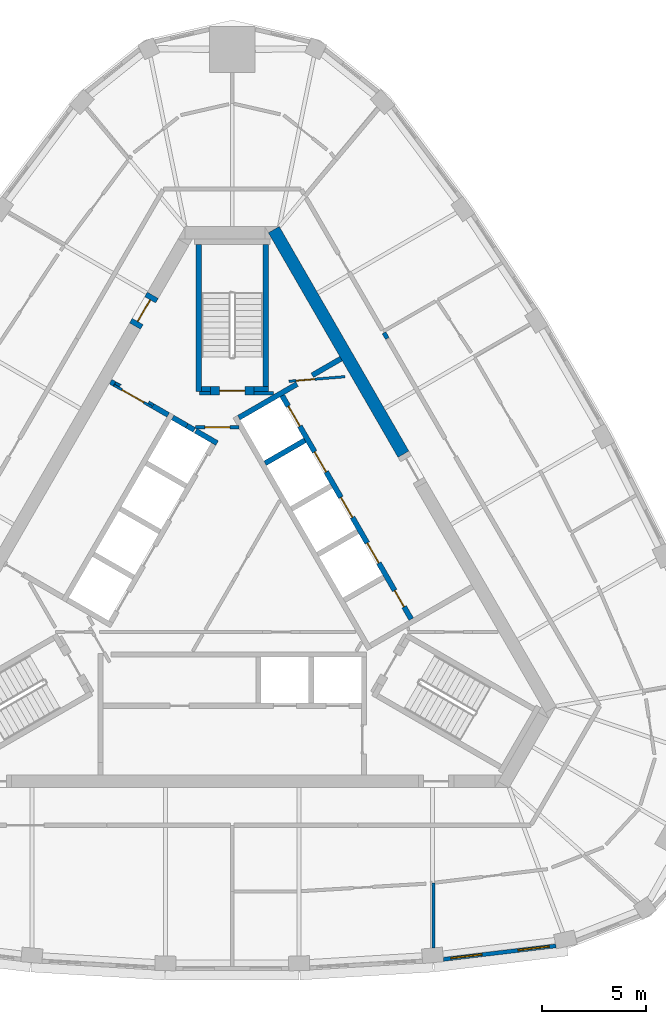
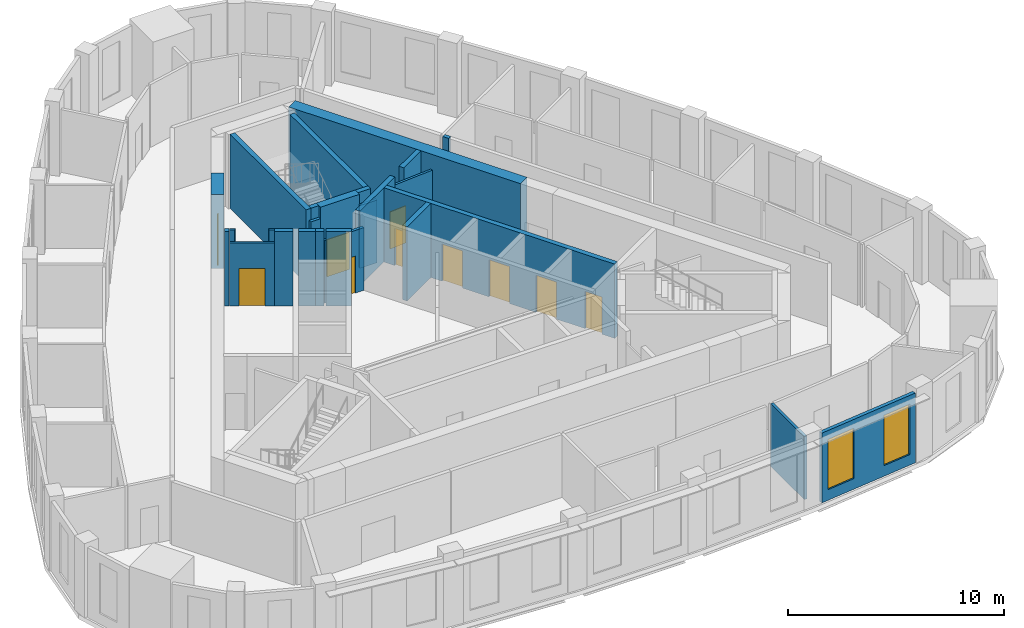
# One storey, part 6 of 10: 26 walls, 10 doors, 2 windows, 12 openings.
"""IFC4 building model written with IfcOpenShell, lengths in metres."""

from ifc_helpers import new_model, si_unit, direction, frame, frame_2d, origin, place, context, subcontext, project, spatial, polyline, rectangle, outline, extrude, material, layer, layer_set, type_object, element, fill, save


model = new_model("IFC4")

# Units and contexts
model_context = context("Model", 3, precision=1e-05, world=origin(), true_north=direction((0.0, 1.0)))
body_context = subcontext(model_context, "Body", "Model", "MODEL_VIEW")
ifc_project = project(units=[si_unit("LENGTHUNIT", "METRE"), si_unit("AREAUNIT", "SQUARE_METRE"), si_unit("VOLUMEUNIT", "CUBIC_METRE"), si_unit("PLANEANGLEUNIT", "RADIAN"), si_unit("MASSUNIT", "GRAM", prefix="KILO")], contexts=[model_context])

# Site, building, storey
site_placement = place(None, origin())
site = spatial("IfcSite", under=ifc_project, at=site_placement, CompositionType="ELEMENT")
building_placement = place(site_placement, origin())
building = spatial("IfcBuilding", under=site, at=building_placement, Name="Mestral Congress Tower", CompositionType="ELEMENT")
storey_placement = place(building_placement, frame((0.0, 0.0, 292.199951171875)))
storey = spatial("IfcBuildingStorey", under=building, at=storey_placement, Name="L68", CompositionType="ELEMENT", Elevation=292.199951171875)

# Walls
ifc_material_1 = material(Name="Fire-rated board partition")
ifc_layer_1 = layer(ifc_material_1, 0.14990234375)
ifc_layer_set_1 = layer_set([ifc_layer_1], Name="Fire-rated board partition")
wall_type_1 = type_object("IfcWallType", Name="Core partition 150", PredefinedType="PARTITIONING", material=ifc_layer_set_1)
wall_1_placement = place(storey_placement, frame((1.050048828125, 8.62548828125, 0.0), z_axis=(0.0, 0.0, 1.0), x_axis=(1.0, 0.0, 0.0)))
element("IfcWall", 1, at=wall_1_placement, inside=storey, type_object=wall_type_1, Name="L68 core wall", PredefinedType="PARTITIONING", context=body_context, shape_type="SweptSolid", body=[
    extrude(rectangle(XDim=0.9287109375, YDim=0.14990234375, at=frame_2d((0.46435546875, 0.0))), origin(), (0.0, 0.0, 1.0), 3.550048828125),
])
wall_2_placement = place(storey_placement, frame((-1.56396484375, 8.62548828125, 0.0), z_axis=(0.0, 0.0, 1.0), x_axis=(1.0, 0.0, 0.0)))
element("IfcWall", 2, at=wall_2_placement, inside=storey, type_object=wall_type_1, Name="L68 core wall", PredefinedType="PARTITIONING", context=body_context, shape_type="SweptSolid", body=[
    extrude(rectangle(XDim=0.513916015625, YDim=0.14990234375, at=frame_2d((0.2568359375, 0.0))), origin(), (0.0, 0.0, 1.0), 3.550048828125),
])

# Wall, opening, door
wall_3_placement = place(storey_placement, frame((-1.765380859375, 7.0, 0.0), z_axis=(0.0, 0.0, 1.0), x_axis=(1.0, 0.0, 0.0)))
wall_3 = element("IfcWall", 3, at=wall_3_placement, inside=storey, type_object=wall_type_1, Name="L68 door wall", PredefinedType="PARTITIONING", context=body_context, shape_type="SweptSolid", body=[
    extrude(rectangle(XDim=2.10009765625, YDim=0.14990234375, at=frame_2d((1.050048828125, 0.0))), origin(), (0.0, 0.0, 1.0), 3.550048828125),
])
opening_1_placement = place(wall_3_placement, frame((0.449951171875, 0.0, 0.0)))
opening_1 = element("IfcOpeningElement", 4, at=opening_1_placement, cuts=wall_3, Name="Opening CD2-FF", PredefinedType="OPENING", context=body_context, shape_type="SweptSolid", body=[
    extrude(rectangle(XDim=1.199951171875, YDim=2.10009765625, at=frame_2d((0.60009765625, 1.050048828125))), frame((0.0, 0.0849609375, 0.0), z_axis=(0.0, -1.0, 0.0), x_axis=(1.0, 0.0, 0.0)), (0.0, 0.0, 1.0), 0.169921875),
])
ifc_material_2 = material(Name="Fire-rated steel door set", Category="steel")
door_type_1 = type_object("IfcDoorType", Name="Core door CD 1200x2100", OperationType="SINGLE_SWING_LEFT", PredefinedType="DOOR", material=ifc_material_2)
door_1_placement = place(opening_1_placement, origin())
door_1 = element("IfcDoor", 5, at=door_1_placement, inside=storey, type_object=door_type_1, Name="Door CD2-FF", OperationType="SINGLE_SWING_LEFT", OverallHeight=2.10009765625, OverallWidth=1.199951171875, PredefinedType="DOOR", context=body_context, shape_type="SweptSolid", body=[
    extrude(rectangle(XDim=1.199951171875, YDim=2.10009765625, at=frame_2d((0.60009765625, 1.050048828125))), frame((0.0, 0.02490234375, 0.0), z_axis=(0.0, -1.0, 0.0), x_axis=(1.0, 0.0, 0.0)), (0.0, 0.0, 1.0), 0.050048828125),
])
fill(opening_1, door_1)

ifc_layer_2 = layer(ifc_material_1, 0.1201171875)
ifc_layer_set_2 = layer_set([ifc_layer_2], Name="Fire-rated board partition")
wall_type_2 = type_object("IfcWallType", Name="Core partition 150 door-wall 120", PredefinedType="PARTITIONING", material=ifc_layer_set_2)
wall_4_placement = place(storey_placement, frame((5.3984375, 9.418701171875, 0.0), z_axis=(0.0, 0.0, 1.0), x_axis=(-0.996653416376, -0.081743303248, 0.0)))
wall_4 = element("IfcWall", 6, at=wall_4_placement, inside=storey, type_object=wall_type_2, Name="L68 door wall", PredefinedType="PARTITIONING", context=body_context, shape_type="SweptSolid", body=[
    extrude(rectangle(XDim=2.699951171875, YDim=0.119873046875, at=frame_2d((1.35009765625, 0.0))), origin(), (0.0, 0.0, 1.0), 3.550048828125),
])
opening_2_placement = place(wall_4_placement, frame((1.449951171875, 0.0, 0.0)))
opening_2 = element("IfcOpeningElement", 7, at=opening_2_placement, cuts=wall_4, Name="Opening TD2", PredefinedType="OPENING", context=body_context, shape_type="SweptSolid", body=[
    extrude(rectangle(XDim=0.89990234375, YDim=2.10009765625, at=frame_2d((0.449951171875, 1.050048828125))), frame((0.0, 0.06982421875, 0.0), z_axis=(0.0, -1.0, 0.0), x_axis=(1.0, 0.0, 0.0)), (0.0, 0.0, 1.0), 0.139892578125),
])
door_type_2 = type_object("IfcDoorType", Name="Core door SR 900x2100", OperationType="SINGLE_SWING_LEFT", PredefinedType="DOOR", material=ifc_material_2)
door_2_placement = place(opening_2_placement, origin())
door_2 = element("IfcDoor", 8, at=door_2_placement, inside=storey, type_object=door_type_2, Name="Door TD2", OperationType="SINGLE_SWING_LEFT", OverallHeight=2.10009765625, OverallWidth=0.89990234375, PredefinedType="DOOR", context=body_context, shape_type="SweptSolid", body=[
    extrude(rectangle(XDim=0.89990234375, YDim=2.10009765625, at=frame_2d((0.449951171875, 1.050048828125))), frame((0.0, 0.02490234375, 0.0), z_axis=(0.0, -1.0, 0.0), x_axis=(1.0, 0.0, 0.0)), (0.0, 0.0, 1.0), 0.050048828125),
])
fill(opening_2, door_2)

wall_5_placement = place(storey_placement, frame((-5.65869140625, 9.01171875, 0.0), z_axis=(0.0, 0.0, 1.0), x_axis=(0.866009402589, -0.500027713859, 0.0)))
wall_5 = element("IfcWall", 9, at=wall_5_placement, inside=storey, type_object=wall_type_2, Name="L68 door wall", PredefinedType="PARTITIONING", context=body_context, shape_type="SweptSolid", body=[
    extrude(rectangle(XDim=2.10009765625, YDim=0.1201171875, at=frame_2d((1.050048828125, 0.0))), origin(), (0.0, 0.0, 1.0), 3.550048828125),
])
opening_3_placement = place(wall_5_placement, frame((0.449951171875, 0.0, 0.0)))
opening_3 = element("IfcOpeningElement", 10, at=opening_3_placement, cuts=wall_5, Name="Opening LB2-WL2", PredefinedType="OPENING", context=body_context, shape_type="SweptSolid", body=[
    extrude(rectangle(XDim=1.199951171875, YDim=2.10009765625, at=frame_2d((0.60009765625, 1.050048828125))), frame((0.0, 0.070068359375, 0.0), z_axis=(0.0, -1.0, 0.0), x_axis=(1.0, 0.0, 0.0)), (0.0, 0.0, 1.0), 0.14013671875),
])
door_type_3 = type_object("IfcDoorType", Name="Core door LB 1200x2100", OperationType="SINGLE_SWING_LEFT", PredefinedType="DOOR", material=ifc_material_2)
door_3_placement = place(opening_3_placement, origin())
door_3 = element("IfcDoor", 11, at=door_3_placement, inside=storey, type_object=door_type_3, Name="Door LB2-WL2", OperationType="SINGLE_SWING_LEFT", OverallHeight=2.10009765625, OverallWidth=1.199951171875, PredefinedType="DOOR", context=body_context, shape_type="SweptSolid", body=[
    extrude(rectangle(XDim=1.199951171875, YDim=2.10009765625, at=frame_2d((0.60009765625, 1.050048828125))), frame((0.0, 0.02490234375, 0.0), z_axis=(0.0, -1.0, 0.0), x_axis=(1.0, 0.0, 0.0)), (0.0, 0.0, 1.0), 0.050048828125),
])
fill(opening_3, door_3)

# Wall
ifc_material_3 = material(Name="Concrete C60/75", Category="concrete")
ifc_layer_3 = layer(ifc_material_3, 0.60009765625)
ifc_layer_set_3 = layer_set([ifc_layer_3], Name="Concrete C60/75")
wall_type_3 = type_object("IfcWallType", Name="Core wall RC 600", PredefinedType="SOLIDWALL", material=ifc_layer_set_3)
wall_6_placement = place(storey_placement, frame((1.98876953125, 16.45556640625, 0.0), z_axis=(0.0, 0.0, 1.0), x_axis=(0.49999102663, -0.8660305845, 0.0)))
element("IfcWall", 12, at=wall_6_placement, inside=storey, type_object=wall_type_3, Name="L68 core wall", PredefinedType="SOLIDWALL", context=body_context, shape_type="SweptSolid", body=[
    extrude(rectangle(XDim=12.406494140625, YDim=0.60009765625, at=frame_2d((6.203125, 0.0))), origin(), (0.0, 0.0, 1.0), 4.199951171875),
])

# Wall, opening, door
wall_7_placement = place(storey_placement, frame((-4.65234375, 11.842041015625, 0.0), z_axis=(0.0, 0.0, 1.0), x_axis=(0.500062241894, 0.865989465428, 0.0)))
wall_7 = element("IfcWall", 13, at=wall_7_placement, inside=storey, type_object=wall_type_3, Name="L68 door wall", PredefinedType="SOLIDWALL", context=body_context, shape_type="SweptSolid", body=[
    extrude(rectangle(XDim=1.699951171875, YDim=0.60009765625, at=frame_2d((0.85009765625, 0.0))), origin(), (0.0, 0.0, 1.0), 4.199951171875),
])
opening_4_placement = place(wall_7_placement, frame((0.25, 0.0, 0.0)))
opening_4 = element("IfcOpeningElement", 14, at=opening_4_placement, cuts=wall_7, Name="Opening XD2", PredefinedType="OPENING", context=body_context, shape_type="SweptSolid", body=[
    extrude(rectangle(XDim=1.199951171875, YDim=2.10009765625, at=frame_2d((0.60009765625, 1.050048828125))), frame((0.0, 0.31005859375, 0.0), z_axis=(0.0, -1.0, 0.0), x_axis=(1.0, 0.0, 0.0)), (0.0, 0.0, 1.0), 0.6201171875),
])
door_type_4 = type_object("IfcDoorType", Name="Core door XD 1200x2100", OperationType="SINGLE_SWING_LEFT", PredefinedType="DOOR", material=ifc_material_2)
door_4_placement = place(opening_4_placement, origin())
door_4 = element("IfcDoor", 15, at=door_4_placement, inside=storey, type_object=door_type_4, Name="Door XD2", OperationType="SINGLE_SWING_LEFT", OverallHeight=2.10009765625, OverallWidth=1.199951171875, PredefinedType="DOOR", context=body_context, shape_type="SweptSolid", body=[
    extrude(rectangle(XDim=1.199951171875, YDim=2.10009765625, at=frame_2d((0.60009765625, 1.050048828125))), frame((0.0, 0.02490234375, 0.0), z_axis=(0.0, -1.0, 0.0), x_axis=(1.0, 0.0, 0.0)), (0.0, 0.0, 1.0), 0.050048828125),
])
fill(opening_4, door_4)

# Wall, openings, windows
ifc_material_4 = material(Name="Precast concrete C40/50 with limestone facing", Category="masonry")
ifc_layer_4 = layer(ifc_material_4, 0.18994140625)
ifc_layer_set_4 = layer_set([ifc_layer_4], Name="Precast concrete C40/50 with limestone facing")
wall_type_4 = type_object("IfcWallType", Name="Facade stone wall 190", PredefinedType="SOLIDWALL", material=ifc_layer_set_4)
wall_8_placement = place(storey_placement, frame((10.110595703125, -18.4677734375, 0.0), z_axis=(0.0, 0.0, 1.0), x_axis=(0.992885582795, 0.119072328769, 0.0)))
wall_8 = element("IfcWall", 16, at=wall_8_placement, inside=storey, type_object=wall_type_4, Name="Facade wall F0-04", PredefinedType="SOLIDWALL", context=body_context, shape_type="SweptSolid", body=[
    extrude(rectangle(XDim=5.4150390625, YDim=0.18994140625, at=frame_2d((2.70751953125, 0.0))), origin(), (0.0, 0.0, 1.0), 3.949951171875),
])
opening_5_placement = place(wall_8_placement, frame((0.357421875, 0.0, 0.60009765625)))
opening_5 = element("IfcOpeningElement", 17, at=opening_5_placement, cuts=wall_8, Name="Opening W6", PredefinedType="OPENING", context=body_context, shape_type="SweptSolid", body=[
    extrude(rectangle(XDim=1.5, YDim=2.85009765625, at=frame_2d((0.75, 1.425048828125))), frame((0.0, 0.10498046875, 0.0), z_axis=(0.0, -1.0, 0.0), x_axis=(1.0, 0.0, 0.0)), (0.0, 0.0, 1.0), 0.2099609375),
])
opening_6_placement = place(wall_8_placement, frame((3.592529296875, 0.0, 0.60009765625)))
opening_6 = element("IfcOpeningElement", 18, at=opening_6_placement, cuts=wall_8, Name="Opening W6", PredefinedType="OPENING", context=body_context, shape_type="SweptSolid", body=[
    extrude(rectangle(XDim=1.5, YDim=2.85009765625, at=frame_2d((0.75, 1.425048828125))), frame((0.0, 0.10498046875, 0.0), z_axis=(0.0, -1.0, 0.0), x_axis=(1.0, 0.0, 0.0)), (0.0, 0.0, 1.0), 0.2099609375),
])
ifc_material_5 = material(Name="Clear low-emissivity double glazing", Category="glass")
window_type = type_object("IfcWindowType", Name="Facade punched window 1500 x 2850 sill 600", PartitioningType="SINGLE_PANEL", PredefinedType="WINDOW", material=ifc_material_5)
window_1_placement = place(opening_5_placement, origin())
window_1 = element("IfcWindow", 19, at=window_1_placement, inside=storey, type_object=window_type, Name="Window F0-04a", OverallHeight=2.85009765625, OverallWidth=1.5, PartitioningType="SINGLE_PANEL", PredefinedType="WINDOW", context=body_context, shape_type="SweptSolid", body=[
    extrude(rectangle(XDim=1.5, YDim=2.85009765625, at=frame_2d((0.75, 1.425048828125))), frame((0.0, 0.044921875, 0.0), z_axis=(0.0, -1.0, 0.0), x_axis=(1.0, 0.0, 0.0)), (0.0, 0.0, 1.0), 0.06005859375),
])
fill(opening_5, window_1)
window_2_placement = place(opening_6_placement, origin())
window_2 = element("IfcWindow", 20, at=window_2_placement, inside=storey, type_object=window_type, Name="Window F0-04b", OverallHeight=2.85009765625, OverallWidth=1.5, PartitioningType="SINGLE_PANEL", PredefinedType="WINDOW", context=body_context, shape_type="SweptSolid", body=[
    extrude(rectangle(XDim=1.5, YDim=2.85009765625, at=frame_2d((0.75, 1.425048828125))), frame((0.0, 0.044921875, 0.0), z_axis=(0.0, -1.0, 0.0), x_axis=(1.0, 0.0, 0.0)), (0.0, 0.0, 1.0), 0.06005859375),
])
fill(opening_6, window_2)

# Walls
ifc_material_6 = material(Name="Plasterboard partition on steel studs", Category="steel")
ifc_layer_5 = layer(ifc_material_6, 0.14990234375)
ifc_layer_set_5 = layer_set([ifc_layer_5], Name="Plasterboard partition on steel studs")
wall_type_5 = type_object("IfcWallType", Name="Office partition 150", PredefinedType="PARTITIONING", material=ifc_layer_set_5)
wall_9_placement = place(storey_placement, frame((9.62744140625, -14.80419921875, 0.0), z_axis=(0.0, 0.0, 1.0), x_axis=(0.0, -1.0, 0.0)))
element("IfcWall", 21, at=wall_9_placement, inside=storey, type_object=wall_type_5, Name="Partition", PredefinedType="PARTITIONING", context=body_context, shape_type="SweptSolid", body=[
    extrude(rectangle(XDim=3.114501953125, YDim=0.14990234375, at=frame_2d((1.55712890625, 0.0))), origin(), (0.0, 0.0, 1.0), 3.550048828125),
])
ifc_material_7 = material(Name="Dense masonry wall, plastered", Category="masonry")
ifc_layer_6 = layer(ifc_material_7, 0.199951171875)
ifc_layer_set_6 = layer_set([ifc_layer_6], Name="Dense masonry wall, plastered")
wall_type_6 = type_object("IfcWallType", Name="Office tenancy wall 200", PredefinedType="PARTITIONING", material=ifc_layer_set_6)
wall_10_placement = place(storey_placement, frame((7.420654296875, 11.2470703125, 0.0), z_axis=(0.0, 0.0, 1.0), x_axis=(-0.500303403544, 0.865850162789, 0.0)))
element("IfcWall", 22, at=wall_10_placement, inside=storey, type_object=wall_type_6, Name="Tenancy wall", PredefinedType="PARTITIONING", context=body_context, shape_type="SweptSolid", body=[
    extrude(rectangle(XDim=0.315185546875, YDim=0.199951171875, at=frame_2d((0.15771484375, 0.0))), origin(), (0.0, 0.0, 1.0), 3.550048828125),
])
ifc_layer_7 = layer(ifc_material_3, 0.25)
ifc_layer_set_7 = layer_set([ifc_layer_7], Name="Concrete C60/75")
wall_type_7 = type_object("IfcWallType", Name="Shaft wall RC 250", PredefinedType="SOLIDWALL", material=ifc_layer_set_7)
wall_11_placement = place(storey_placement, frame((3.10009765625, 9.064453125, 0.0), z_axis=(0.0, 0.0, 1.0), x_axis=(-0.866030133475, -0.499991807846, 0.0)))
element("IfcWall", 23, at=wall_11_placement, inside=storey, type_object=wall_type_7, Name="L68 core wall", PredefinedType="SOLIDWALL", context=body_context, shape_type="SweptSolid", body=[
    extrude(rectangle(XDim=3.216796875, YDim=0.25, at=frame_2d((1.6083984375, 0.0))), origin(), (0.0, 0.0, 1.0), 4.199951171875),
])
wall_12_placement = place(storey_placement, frame((1.57421875, 5.273681640625, 0.0), z_axis=(0.0, 0.0, 1.0), x_axis=(0.866028486751, 0.499994660107, 0.0)))
element("IfcWall", 24, at=wall_12_placement, inside=storey, type_object=wall_type_7, Name="L68 core wall", PredefinedType="SOLIDWALL", context=body_context, shape_type="SweptSolid", body=[
    extrude(rectangle(XDim=2.19970703125, YDim=0.25, at=frame_2d((1.099853515625, 0.0))), origin(), (0.0, 0.0, 1.0), 4.199951171875),
])
wall_13_placement = place(storey_placement, frame((3.82958984375, 9.485595703125, 0.0), z_axis=(0.0, 0.0, 1.0), x_axis=(0.865986202621, 0.500067892261, 0.0)))
element("IfcWall", 25, at=wall_13_placement, inside=storey, type_object=wall_type_7, Name="L68 core wall", PredefinedType="SOLIDWALL", context=body_context, shape_type="SweptSolid", body=[
    extrude(rectangle(XDim=1.590576171875, YDim=0.25, at=frame_2d((0.79541015625, 0.0))), origin(), (0.0, 0.0, 1.0), 4.199951171875),
])
wall_14_placement = place(storey_placement, frame((-1.818603515625, 6.869873046875, 0.0), z_axis=(0.0, 0.0, 1.0), x_axis=(-0.866294599386, 0.499533449405, 0.0)))
element("IfcWall", 26, at=wall_14_placement, inside=storey, type_object=wall_type_7, Name="L68 core wall", PredefinedType="SOLIDWALL", context=body_context, shape_type="SweptSolid", body=[
    extrude(rectangle(XDim=0.41015625, YDim=0.25, at=frame_2d((0.205078125, 0.0))), origin(), (0.0, 0.0, 1.0), 4.199951171875),
])
wall_15_placement = place(storey_placement, frame((-2.849365234375, 7.46484375, 0.0), z_axis=(0.0, 0.0, 1.0), x_axis=(0.865955664968, -0.500120771724, 0.0)))
element("IfcWall", 27, at=wall_15_placement, inside=storey, type_object=wall_type_7, Name="L68 core wall", PredefinedType="SOLIDWALL", context=body_context, shape_type="SweptSolid", body=[
    extrude(rectangle(XDim=0.778076171875, YDim=0.25, at=frame_2d((0.38916015625, 0.0))), origin(), (0.0, 0.0, 1.0), 4.199951171875),
])
wall_16_placement = place(storey_placement, frame((-0.7275390625, 6.23974609375, 0.0), z_axis=(0.0, 0.0, 1.0), x_axis=(-0.866002680491, 0.500039355833, 0.0)))
element("IfcWall", 28, at=wall_16_placement, inside=storey, type_object=wall_type_7, Name="L68 core wall", PredefinedType="SOLIDWALL", context=body_context, shape_type="SweptSolid", body=[
    extrude(rectangle(XDim=1.17822265625, YDim=0.25, at=frame_2d((0.589111328125, 0.0))), origin(), (0.0, 0.0, 1.0), 4.199951171875),
])
wall_17_placement = place(storey_placement, frame((-5.62939453125, 9.06982421875, 0.0), z_axis=(0.0, 0.0, 1.0), x_axis=(-0.866185586049, 0.49972245349, 0.0)))
element("IfcWall", 29, at=wall_17_placement, inside=storey, type_object=wall_type_7, Name="L68 core wall", PredefinedType="SOLIDWALL", context=body_context, shape_type="SweptSolid", body=[
    extrude(rectangle(XDim=0.2197265625, YDim=0.25, at=frame_2d((0.10986328125, 0.0))), origin(), (0.0, 0.0, 1.0), 4.199951171875),
])
wall_18_placement = place(storey_placement, frame((-3.808837890625, 8.018798828125, 0.0), z_axis=(0.0, 0.0, 1.0), x_axis=(0.866010229787, -0.500026281214, 0.0)))
element("IfcWall", 30, at=wall_18_placement, inside=storey, type_object=wall_type_7, Name="L68 core wall", PredefinedType="SOLIDWALL", context=body_context, shape_type="SweptSolid", body=[
    extrude(rectangle(XDim=0.85791015625, YDim=0.25, at=frame_2d((0.428955078125, 0.0))), origin(), (0.0, 0.0, 1.0), 4.199951171875),
])
placement = place(storey_placement, origin())
element("IfcWall", 31, at=placement, inside=storey, type_object=wall_type_7, Name="L68 core wall", PredefinedType="SOLIDWALL", context=body_context, shape_type="SweptSolid", body=[
    extrude(outline(polyline([(-3.748291015625, 8.128173828125), (-3.813232421875, 8.015380859375), (-4.026611328125, 8.138671875), (-4.0166015625, 8.156005859375), (-4.007568359375, 8.17333984375), (-4.000244140625, 8.191650390625), (-3.994873046875, 8.21044921875), (-3.991455078125, 8.229736328125), (-3.98974609375, 8.24951171875), (-3.989990234375, 8.267822265625), (-3.748291015625, 8.128173828125)])), origin(), (0.0, 0.0, 1.0), 4.199951171875),
])
element("IfcWall", 32, at=placement, inside=storey, type_object=wall_type_7, Name="L68 core wall", PredefinedType="SOLIDWALL", context=body_context, shape_type="SweptSolid", body=[
    extrude(outline(polyline([(-5.688720703125, 8.959716796875), (-5.690185546875, 8.960693359375), (-5.565185546875, 9.177001953125), (-5.318603515625, 9.03466796875), (-5.334716796875, 9.02587890625), (-5.3505859375, 9.0146484375), (-5.36572265625, 9.001953125), (-5.37939453125, 8.98779296875), (-5.3916015625, 8.972412109375), (-5.402099609375, 8.955810546875), (-5.412109375, 8.938720703125), (-5.628662109375, 9.063720703125), (-5.628662109375, 9.063720703125), (-5.688720703125, 8.959716796875)])), origin(), (0.0, 0.0, 1.0), 4.199951171875),
])

# Wall, openings, doors
wall_21_placement = place(storey_placement, frame((8.565185546875, -2.185302734375, 0.0), z_axis=(0.0, 0.0, 1.0), x_axis=(-0.499997954832, 0.866026584559, 0.0)))
wall_21 = element("IfcWall", 33, at=wall_21_placement, inside=storey, type_object=wall_type_7, Name="L68 door wall", PredefinedType="SOLIDWALL", context=body_context, shape_type="SweptSolid", body=[
    extrude(rectangle(XDim=12.35009765625, YDim=0.25, at=frame_2d((6.175048828125, 0.0))), origin(), (0.0, 0.0, 1.0), 4.199951171875),
])
opening_7_placement = place(wall_21_placement, frame((0.68505859375, 0.0, 0.0)))
opening_7 = element("IfcOpeningElement", 34, at=opening_7_placement, cuts=wall_21, Name="Opening SR-NEB1", PredefinedType="OPENING", context=body_context, shape_type="SweptSolid", body=[
    extrude(rectangle(XDim=0.89990234375, YDim=2.10009765625, at=frame_2d((0.449951171875, 1.050048828125))), frame((0.0, 0.135009765625, 0.0), z_axis=(0.0, -1.0, 0.0), x_axis=(1.0, 0.0, 0.0)), (0.0, 0.0, 1.0), 0.27001953125),
])
opening_8_placement = place(wall_21_placement, frame((3.10498046875, 0.0, 0.0)))
opening_8 = element("IfcOpeningElement", 35, at=opening_8_placement, cuts=wall_21, Name="Opening LD-NEB2", PredefinedType="OPENING", context=body_context, shape_type="SweptSolid", body=[
    extrude(rectangle(XDim=1.10009765625, YDim=2.10009765625, at=frame_2d((0.550048828125, 1.050048828125))), frame((0.0, 0.135009765625, 0.0), z_axis=(0.0, -1.0, 0.0), x_axis=(1.0, 0.0, 0.0)), (0.0, 0.0, 1.0), 0.27001953125),
])
opening_9_placement = place(wall_21_placement, frame((5.625, 0.0, 0.0)))
opening_9 = element("IfcOpeningElement", 36, at=opening_9_placement, cuts=wall_21, Name="Opening LD-NEB3", PredefinedType="OPENING", context=body_context, shape_type="SweptSolid", body=[
    extrude(rectangle(XDim=1.10009765625, YDim=2.10009765625, at=frame_2d((0.550048828125, 1.050048828125))), frame((0.0, 0.135009765625, 0.0), z_axis=(0.0, -1.0, 0.0), x_axis=(1.0, 0.0, 0.0)), (0.0, 0.0, 1.0), 0.27001953125),
])
opening_10_placement = place(wall_21_placement, frame((8.14501953125, 0.0, 0.0)))
opening_10 = element("IfcOpeningElement", 37, at=opening_10_placement, cuts=wall_21, Name="Opening LD-NEB4", PredefinedType="OPENING", context=body_context, shape_type="SweptSolid", body=[
    extrude(rectangle(XDim=1.10009765625, YDim=2.10009765625, at=frame_2d((0.550048828125, 1.050048828125))), frame((0.0, 0.135009765625, 0.0), z_axis=(0.0, -1.0, 0.0), x_axis=(1.0, 0.0, 0.0)), (0.0, 0.0, 1.0), 0.27001953125),
])
opening_11_placement = place(wall_21_placement, frame((10.6650390625, 0.0, 0.0)))
opening_11 = element("IfcOpeningElement", 38, at=opening_11_placement, cuts=wall_21, Name="Opening LD-NEB5", PredefinedType="OPENING", context=body_context, shape_type="SweptSolid", body=[
    extrude(rectangle(XDim=1.10009765625, YDim=2.10009765625, at=frame_2d((0.550048828125, 1.050048828125))), frame((0.0, 0.135009765625, 0.0), z_axis=(0.0, -1.0, 0.0), x_axis=(1.0, 0.0, 0.0)), (0.0, 0.0, 1.0), 0.27001953125),
])
door_type_5 = type_object("IfcDoorType", Name="Core door LD 1100x2100", OperationType="DOUBLE_DOOR_SLIDING", PredefinedType="DOOR", material=ifc_material_2)
door_5_placement = place(opening_8_placement, origin())
door_5 = element("IfcDoor", 39, at=door_5_placement, inside=storey, type_object=door_type_5, Name="Door LD-NEB2", OperationType="DOUBLE_DOOR_SLIDING", OverallHeight=2.10009765625, OverallWidth=1.10009765625, PredefinedType="DOOR", context=body_context, shape_type="SweptSolid", body=[
    extrude(rectangle(XDim=1.10009765625, YDim=2.10009765625, at=frame_2d((0.550048828125, 1.050048828125))), frame((0.0, 0.02490234375, 0.0), z_axis=(0.0, -1.0, 0.0), x_axis=(1.0, 0.0, 0.0)), (0.0, 0.0, 1.0), 0.050048828125),
])
fill(opening_8, door_5)
door_6_placement = place(opening_9_placement, origin())
door_6 = element("IfcDoor", 40, at=door_6_placement, inside=storey, type_object=door_type_5, Name="Door LD-NEB3", OperationType="DOUBLE_DOOR_SLIDING", OverallHeight=2.10009765625, OverallWidth=1.10009765625, PredefinedType="DOOR", context=body_context, shape_type="SweptSolid", body=[
    extrude(rectangle(XDim=1.10009765625, YDim=2.10009765625, at=frame_2d((0.550048828125, 1.050048828125))), frame((0.0, 0.02490234375, 0.0), z_axis=(0.0, -1.0, 0.0), x_axis=(1.0, 0.0, 0.0)), (0.0, 0.0, 1.0), 0.050048828125),
])
fill(opening_9, door_6)
door_7_placement = place(opening_10_placement, origin())
door_7 = element("IfcDoor", 41, at=door_7_placement, inside=storey, type_object=door_type_5, Name="Door LD-NEB4", OperationType="DOUBLE_DOOR_SLIDING", OverallHeight=2.10009765625, OverallWidth=1.10009765625, PredefinedType="DOOR", context=body_context, shape_type="SweptSolid", body=[
    extrude(rectangle(XDim=1.10009765625, YDim=2.10009765625, at=frame_2d((0.550048828125, 1.050048828125))), frame((0.0, 0.02490234375, 0.0), z_axis=(0.0, -1.0, 0.0), x_axis=(1.0, 0.0, 0.0)), (0.0, 0.0, 1.0), 0.050048828125),
])
fill(opening_10, door_7)
door_8_placement = place(opening_11_placement, origin())
door_8 = element("IfcDoor", 42, at=door_8_placement, inside=storey, type_object=door_type_5, Name="Door LD-NEB5", OperationType="DOUBLE_DOOR_SLIDING", OverallHeight=2.10009765625, OverallWidth=1.10009765625, PredefinedType="DOOR", context=body_context, shape_type="SweptSolid", body=[
    extrude(rectangle(XDim=1.10009765625, YDim=2.10009765625, at=frame_2d((0.550048828125, 1.050048828125))), frame((0.0, 0.02490234375, 0.0), z_axis=(0.0, -1.0, 0.0), x_axis=(1.0, 0.0, 0.0)), (0.0, 0.0, 1.0), 0.050048828125),
])
fill(opening_11, door_8)
door_9_placement = place(opening_7_placement, origin())
door_9 = element("IfcDoor", 43, at=door_9_placement, inside=storey, type_object=door_type_2, Name="Door SR-NEB1", OperationType="SINGLE_SWING_LEFT", OverallHeight=2.10009765625, OverallWidth=0.89990234375, PredefinedType="DOOR", context=body_context, shape_type="SweptSolid", body=[
    extrude(rectangle(XDim=0.89990234375, YDim=2.10009765625, at=frame_2d((0.449951171875, 1.050048828125))), frame((0.0, 0.02490234375, 0.0), z_axis=(0.0, -1.0, 0.0), x_axis=(1.0, 0.0, 0.0)), (0.0, 0.0, 1.0), 0.050048828125),
])
fill(opening_7, door_9)

# Walls
ifc_layer_8 = layer(ifc_material_3, 0.25)
ifc_layer_set_8 = layer_set([ifc_layer_8], Name="Concrete C60/75")
wall_type_8 = type_object("IfcWallType", Name="Stair wall RC 250", PredefinedType="SOLIDWALL", material=ifc_layer_set_8)
wall_22_placement = place(storey_placement, frame((1.60009765625, 8.949951171875, 0.0), z_axis=(0.0, 0.0, 1.0), x_axis=(0.0, 1.0, 0.0)))
element("IfcWall", 44, at=wall_22_placement, inside=storey, type_object=wall_type_8, Name="L68 core wall", PredefinedType="SOLIDWALL", context=body_context, shape_type="SweptSolid", body=[
    extrude(rectangle(XDim=6.800048828125, YDim=0.25, at=frame_2d((3.39990234375, 0.0))), origin(), (0.0, 0.0, 1.0), 4.199951171875),
])
wall_23_placement = place(storey_placement, frame((1.050048828125, 8.824951171875, 0.0), z_axis=(0.0, 0.0, 1.0), x_axis=(1.0, 0.0, 0.0)))
element("IfcWall", 45, at=wall_23_placement, inside=storey, type_object=wall_type_8, Name="L68 core wall", PredefinedType="SOLIDWALL", context=body_context, shape_type="SweptSolid", body=[
    extrude(rectangle(XDim=0.675048828125, YDim=0.25, at=frame_2d((0.33740234375, 0.0))), origin(), (0.0, 0.0, 1.0), 4.199951171875),
])
wall_24_placement = place(storey_placement, frame((-1.60009765625, 8.699951171875, 0.0), z_axis=(0.0, 0.0, 1.0), x_axis=(0.0, 1.0, 0.0)))
element("IfcWall", 46, at=wall_24_placement, inside=storey, type_object=wall_type_8, Name="L68 core wall", PredefinedType="SOLIDWALL", context=body_context, shape_type="SweptSolid", body=[
    extrude(rectangle(XDim=7.050048828125, YDim=0.25, at=frame_2d((3.52490234375, 0.0))), origin(), (0.0, 0.0, 1.0), 4.199951171875),
])
wall_25_placement = place(storey_placement, frame((-1.47509765625, 8.824951171875, 0.0), z_axis=(0.0, 0.0, 1.0), x_axis=(1.0, 0.0, 0.0)))
element("IfcWall", 47, at=wall_25_placement, inside=storey, type_object=wall_type_8, Name="L68 core wall", PredefinedType="SOLIDWALL", context=body_context, shape_type="SweptSolid", body=[
    extrude(rectangle(XDim=0.425048828125, YDim=0.25, at=frame_2d((0.21240234375, 0.0))), origin(), (0.0, 0.0, 1.0), 4.199951171875),
])

# Wall, opening, door
ifc_layer_9 = layer(ifc_material_3, 0.39990234375)
ifc_layer_set_9 = layer_set([ifc_layer_9], Name="Concrete C60/75")
wall_type_9 = type_object("IfcWallType", Name="Stair wall RC 250 door-wall 400", PredefinedType="SOLIDWALL", material=ifc_layer_set_9)
wall_26_placement = place(storey_placement, frame((1.050048828125, 8.75, 0.0), z_axis=(0.0, 0.0, 1.0), x_axis=(-1.0, 0.0, 0.0)))
wall_26 = element("IfcWall", 48, at=wall_26_placement, inside=storey, type_object=wall_type_9, Name="L68 door wall", PredefinedType="SOLIDWALL", context=body_context, shape_type="SweptSolid", body=[
    extrude(rectangle(XDim=2.10009765625, YDim=0.39990234375, at=frame_2d((1.050048828125, 0.0))), origin(), (0.0, 0.0, 1.0), 4.199951171875),
])
opening_12_placement = place(wall_26_placement, frame((0.449951171875, 0.0, 0.0)))
opening_12 = element("IfcOpeningElement", 49, at=opening_12_placement, cuts=wall_26, Name="Opening ST-D2", PredefinedType="OPENING", context=body_context, shape_type="SweptSolid", body=[
    extrude(rectangle(XDim=1.199951171875, YDim=2.10009765625, at=frame_2d((0.60009765625, 1.050048828125))), frame((0.0, 0.2099609375, 0.0), z_axis=(0.0, -1.0, 0.0), x_axis=(1.0, 0.0, 0.0)), (0.0, 0.0, 1.0), 0.419921875),
])
door_type_6 = type_object("IfcDoorType", Name="Core door ST 1200x2100", OperationType="SINGLE_SWING_LEFT", PredefinedType="DOOR", material=ifc_material_2)
door_10_placement = place(opening_12_placement, origin())
door_10 = element("IfcDoor", 50, at=door_10_placement, inside=storey, type_object=door_type_6, Name="Door ST-D2", OperationType="SINGLE_SWING_LEFT", OverallHeight=2.10009765625, OverallWidth=1.199951171875, PredefinedType="DOOR", context=body_context, shape_type="SweptSolid", body=[
    extrude(rectangle(XDim=1.199951171875, YDim=2.10009765625, at=frame_2d((0.60009765625, 1.050048828125))), frame((0.0, 0.02490234375, 0.0), z_axis=(0.0, -1.0, 0.0), x_axis=(1.0, 0.0, 0.0)), (0.0, 0.0, 1.0), 0.050048828125),
])
fill(opening_12, door_10)

save(model, "model.ifc")
